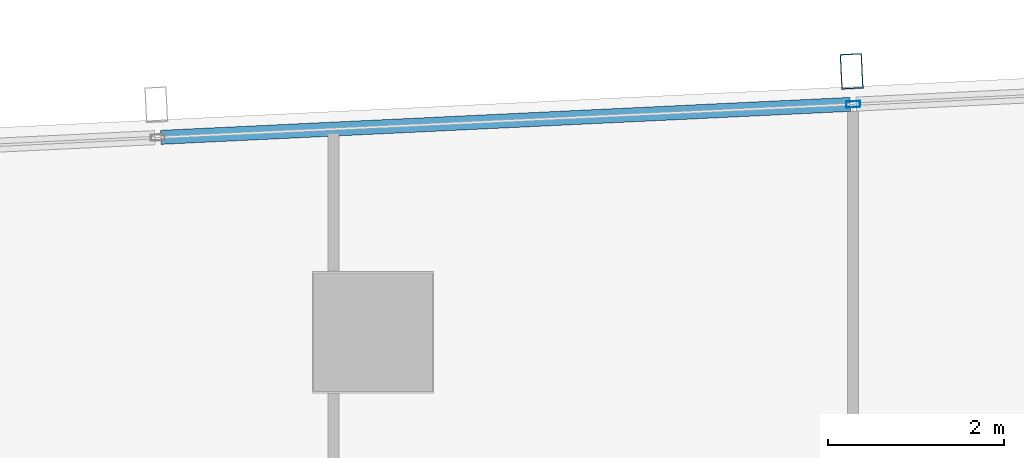
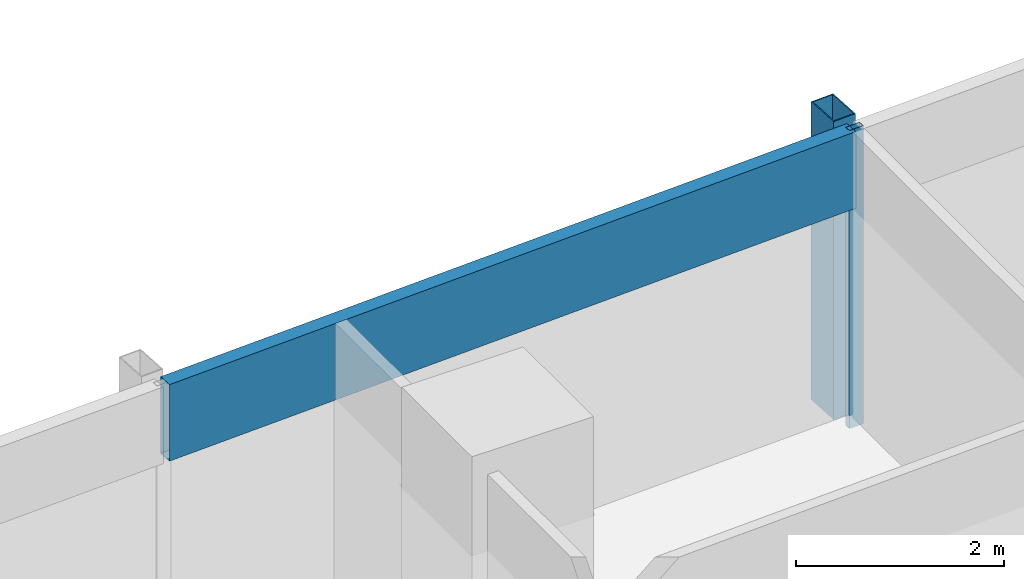
# One storey, part 16 of 35: 3 members, 1 element without a shape of its own.
"""IFC4 building model written with IfcOpenShell, lengths in metres."""

from ifc_helpers import new_model, si_unit, direction, frame, origin, origin_2d, place, context, subcontext, project, spatial, hollow_rectangle, extrude, material, material_profile, profile_set, type_object, element, aggregate, save


model = new_model("IFC4")

# Units and contexts
model_context = context("Model", 3, precision=1e-05, world=origin(), true_north=direction((0.0, 1.0)))
body_context = subcontext(model_context, "Body", "Model", "MODEL_VIEW")
ifc_project = project(units=[si_unit("LENGTHUNIT", "METRE"), si_unit("AREAUNIT", "SQUARE_METRE"), si_unit("VOLUMEUNIT", "CUBIC_METRE"), si_unit("PLANEANGLEUNIT", "RADIAN"), si_unit("MASSUNIT", "GRAM", prefix="KILO")], contexts=[model_context])

# Site, building, storey
site_placement = place(None, origin())
site = spatial("IfcSite", under=ifc_project, at=site_placement, CompositionType="ELEMENT")
building_placement = place(site_placement, origin())
building = spatial("IfcBuilding", under=site, at=building_placement, Name="Rekha Terrace Tower", CompositionType="ELEMENT")
storey_placement = place(building_placement, frame((0.0, 0.0, 191.449951171875)))
storey = spatial("IfcBuildingStorey", under=building, at=storey_placement, Name="L48", CompositionType="ELEMENT", Elevation=191.449951171875)

# Curtain wall, members
ifc_material_1 = material(Name="Aluminium framing", Category="aluminium")
curtain_wall_type = type_object("IfcCurtainWallType", Name="CW3 north unitised glazing", PredefinedType="USERDEFINED", material=ifc_material_1)
curtain_wall_placement = place(storey_placement, origin())
curtain_wall = element("IfcCurtainWall", 1, at=curtain_wall_placement, inside=storey, type_object=curtain_wall_type, Name="CW3 unitised curtain wall", ObjectType="UNITISED CURTAIN WALL", PredefinedType="USERDEFINED")
ifc_material_2 = material(Name="Steel S355 with fluorocarbon finish", Category="steel")
ifc_material_profile_1 = material_profile(ifc_material_2, hollow_rectangle(XDim=0.25, YDim=0.39990234375, WallThickness=0.012451171875, at=origin_2d()), Name="RHS400x250x12.5")
ifc_profile_set_1 = profile_set([ifc_material_profile_1], Name="Steel S355 with fluorocarbon finish")
member_type_1 = type_object("IfcMemberType", Name="BL1 facade blade RHS 400 x 250", PredefinedType="USERDEFINED", material=ifc_profile_set_1)
member_1_placement = place(storey_placement, frame((30.643310546875, 61.767578125, 0.0), z_axis=(0.0, 0.0, 1.0), x_axis=(-0.998858913274, -0.04775846913, 0.0)))
member_1 = element("IfcMember", 2, at=member_1_placement, type_object=member_type_1, Name="Facade blade", ObjectType="FACADE BLADE", PredefinedType="USERDEFINED", context=body_context, shape_type="SweptSolid", body=[
    extrude(hollow_rectangle(XDim=0.25, YDim=0.39990234375, WallThickness=0.012451171875, at=origin_2d()), origin(), (0.0, 0.0, 1.0), 3.5),
])
ifc_material_3 = material(Name="Aluminium mullion section", Category="aluminium")
ifc_material_profile_2 = material_profile(ifc_material_3, hollow_rectangle(XDim=0.070068359375, YDim=0.159912109375, WallThickness=0.00390625, at=origin_2d()), Name="AL RHS 70x160")
ifc_profile_set_2 = profile_set([ifc_material_profile_2], Name="Aluminium mullion section")
member_type_2 = type_object("IfcMemberType", Name="CW3 mullion RHS 70 x 160", PredefinedType="MULLION", material=ifc_profile_set_2)
member_2_placement = place(storey_placement, frame((30.6611328125, 61.39306640625, 0.0), z_axis=(0.0, 0.0, 1.0), x_axis=(0.047758616983, -0.998858906204, 0.0)))
member_2 = element("IfcMember", 3, at=member_2_placement, type_object=member_type_2, Name="CW3 mullion 3", PredefinedType="MULLION", context=body_context, shape_type="SweptSolid", body=[
    extrude(hollow_rectangle(XDim=0.070068359375, YDim=0.159912109375, WallThickness=0.00390625, at=origin_2d()), origin(), (0.0, 0.0, 1.0), 3.5),
])
ifc_material_4 = material(Name="Insulated aluminium spandrel box", Category="aluminium")
ifc_material_profile_3 = material_profile(ifc_material_4, hollow_rectangle(XDim=0.159912109375, YDim=0.89990234375, WallThickness=0.0029296875, at=origin_2d()), Name="AL SPANDREL BOX 160x900")
ifc_profile_set_3 = profile_set([ifc_material_profile_3], Name="Insulated aluminium spandrel box")
member_type_3 = type_object("IfcMemberType", Name="CW3 spandrel transom 160 x 900", PredefinedType="USERDEFINED", material=ifc_profile_set_3)
member_3_placement = place(storey_placement, frame((30.626220703125, 61.391357421875, 3.050048828125), z_axis=(-0.998859323292, -0.047749892907, 0.0), x_axis=(0.047749892907, -0.998859323292, 0.0)))
member_3 = element("IfcMember", 4, at=member_3_placement, type_object=member_type_3, Name="CW3 spandrel transom 3", ObjectType="TRANSOM", PredefinedType="USERDEFINED", context=body_context, shape_type="SweptSolid", body=[
    extrude(hollow_rectangle(XDim=0.159912109375, YDim=0.89990234375, WallThickness=0.0029296875, at=origin_2d()), origin(), (0.0, 0.0, 1.0), 7.848388671875),
])
aggregate(curtain_wall, [member_2, member_3, member_1])

save(model, "model.ifc")
